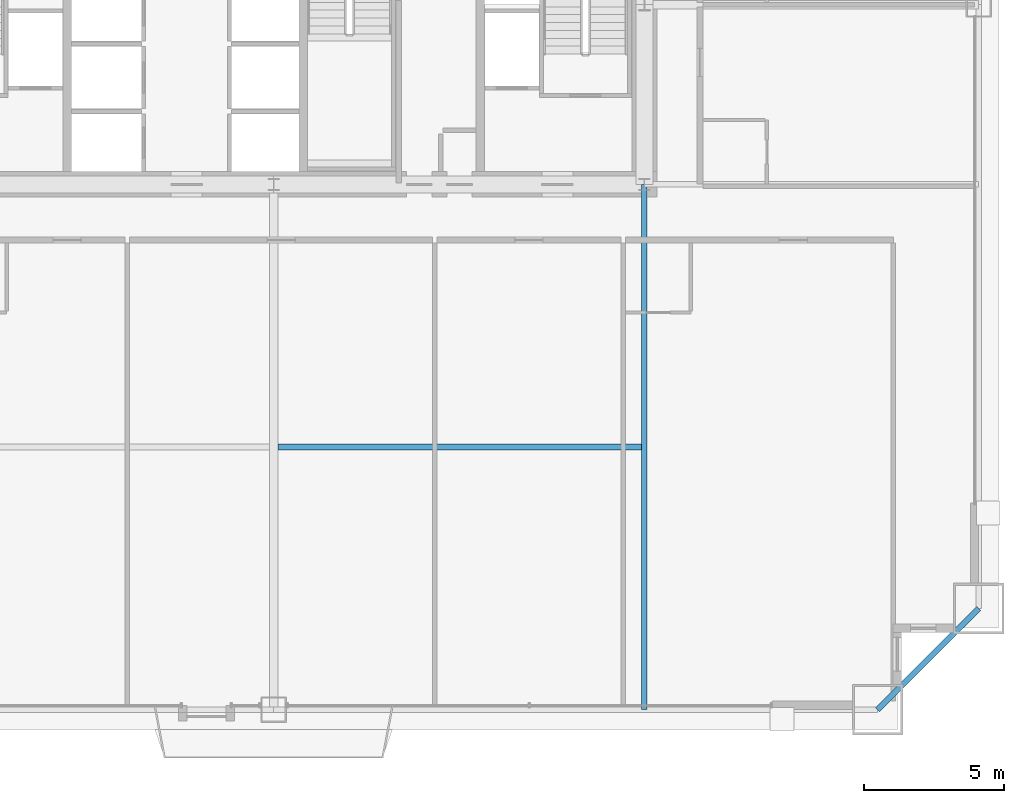
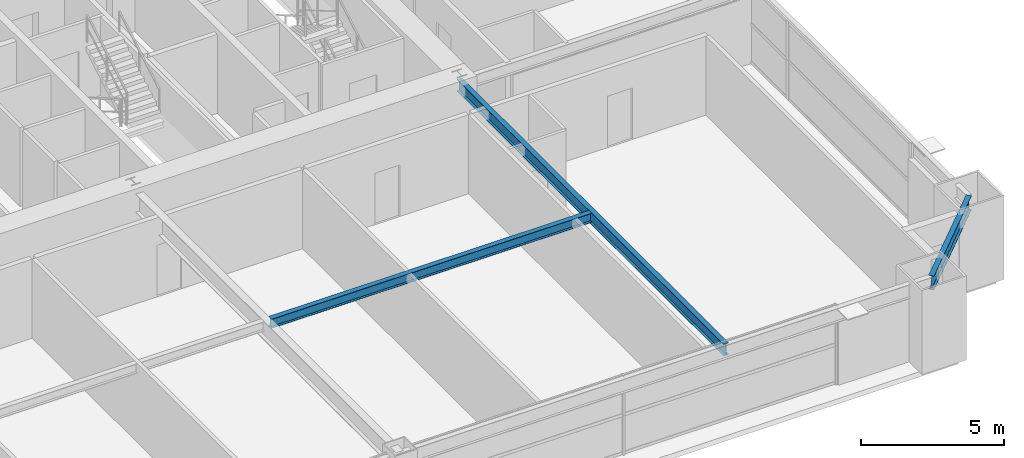
# One storey, part 17 of 45: 3 beams.
"""IFC4 building model written with IfcOpenShell, lengths in metres."""

from ifc_helpers import new_model, si_unit, direction, frame, origin, origin_2d, place, context, subcontext, project, spatial, i_section, extrude, source, transform, mapped, material, material_profile, profile_set, type_object, element, save


model = new_model("IFC4")

# Units and contexts
model_context = context("Model", 3, precision=1e-05, world=origin(), true_north=direction((0.0, 1.0)))
body_context = subcontext(model_context, "Body", "Model", "MODEL_VIEW")
ifc_project = project(units=[si_unit("LENGTHUNIT", "METRE"), si_unit("AREAUNIT", "SQUARE_METRE"), si_unit("VOLUMEUNIT", "CUBIC_METRE"), si_unit("PLANEANGLEUNIT", "RADIAN"), si_unit("MASSUNIT", "GRAM", prefix="KILO"), si_unit("THERMODYNAMICTEMPERATUREUNIT", "KELVIN"), si_unit("POWERUNIT", "WATT")], contexts=[model_context])

# Site, building, storey
site_placement = place(None, origin())
site = spatial("IfcSite", under=ifc_project, at=site_placement, CompositionType="ELEMENT")
building_placement = place(site_placement, origin())
building = spatial("IfcBuilding", under=site, at=building_placement, Name="Yuzanri Waterfront Tower", CompositionType="ELEMENT")
storey_placement = place(building_placement, frame((0.0, 0.0, 49.60009765625)))
storey = spatial("IfcBuildingStorey", under=building, at=storey_placement, Name="L12", CompositionType="ELEMENT", Elevation=49.60009765625)

# Beams
ifc_material_1 = material(Name="Steel Q355B", Category="steel")
ifc_material_profile_1 = material_profile(ifc_material_1, i_section(OverallWidth=0.199951171875, OverallDepth=0.60009765625, WebThickness=0.010986328125, FlangeThickness=0.01708984375, at=origin_2d()), Name="HN 600x200x11x17")
ifc_profile_set_1 = profile_set([ifc_material_profile_1], Name="Steel Q355B")
beam_type_1 = type_object("IfcBeamType", Name="Perimeter Spandrel Q355B HN 600x200", PredefinedType="SPANDREL", material=ifc_profile_set_1)
shared_shape_1 = source(origin(), body_context, "Body", "SweptSolid", [
    extrude(i_section(OverallWidth=0.199951171875, OverallDepth=0.60009765625, WebThickness=0.010986328125, FlangeThickness=0.01708984375, at=origin_2d()), origin(), (0.0, 0.0, 1.0), 5.09130859375),
])
beam_1_placement = place(storey_placement, frame((58.5, 0.699951171875, 3.079833984375), z_axis=(0.707106781187, 0.707106781187, 0.0), x_axis=(-0.707106781187, 0.707106781187, 0.0)))
element("IfcBeam", 1, at=beam_1_placement, inside=storey, type_object=beam_type_1, Name="L12 Perimeter Spandrel S3-E1", PredefinedType="SPANDREL", context=body_context, shape_type="MappedRepresentation", body=[
    mapped(shared_shape_1, transform((0.0, 0.0, 0.0), scale=1.0)),
])
ifc_material_2 = material(Name="Steel Q355B", Category="steel")
ifc_material_profile_2 = material_profile(ifc_material_2, i_section(OverallWidth=0.199951171875, OverallDepth=0.5, WebThickness=0.010009765625, FlangeThickness=0.01611328125, at=origin_2d()), Name="HN 500x200x10x16")
ifc_profile_set_2 = profile_set([ifc_material_profile_2], Name="Steel Q355B")
beam_type_2 = type_object("IfcBeamType", Name="Secondary Floor Beam Q355B HN 500x200", PredefinedType="BEAM", material=ifc_profile_set_2)
shared_shape_2 = source(origin(), body_context, "Body", "SweptSolid", [
    extrude(i_section(OverallWidth=0.199951171875, OverallDepth=0.5, WebThickness=0.010009765625, FlangeThickness=0.01611328125, at=origin_2d()), origin(), (0.0, 0.0, 1.0), 18.699951171875),
])
beam_2_placement = place(storey_placement, frame((50.199951171875, 19.39990234375, 3.1298828125), z_axis=(0.0, -1.0, 0.0), x_axis=(1.0, 0.0, 0.0)))
element("IfcBeam", 2, at=beam_2_placement, inside=storey, type_object=beam_type_2, Name="L12 South-East Core Line Beam", PredefinedType="BEAM", context=body_context, shape_type="MappedRepresentation", body=[
    mapped(shared_shape_2, transform((0.0, 0.0, 0.0), scale=1.0)),
])
ifc_material_3 = material(Name="Steel Q355B", Category="steel")
ifc_material_profile_3 = material_profile(ifc_material_3, i_section(OverallWidth=0.199951171875, OverallDepth=0.39990234375, WebThickness=0.008056640625, FlangeThickness=0.012939453125, at=origin_2d()), Name="HN 400x200x8x13")
ifc_profile_set_3 = profile_set([ifc_material_profile_3], Name="Steel Q355B")
beam_type_3 = type_object("IfcBeamType", Name="Floor Joist Q355B HN 400x200", PredefinedType="JOIST", material=ifc_profile_set_3)
shared_shape_3 = source(origin(), body_context, "Body", "SweptSolid", [
    extrude(i_section(OverallWidth=0.199951171875, OverallDepth=0.39990234375, WebThickness=0.008056640625, FlangeThickness=0.012939453125, at=origin_2d()), origin(), (0.0, 0.0, 1.0), 12.9501953125),
])
beam_3_placement = place(storey_placement, frame((37.14990234375, 10.050048828125, 3.179931640625), z_axis=(1.0, 0.0, 0.0), x_axis=(0.0, 1.0, 0.0)))
element("IfcBeam", 3, at=beam_3_placement, inside=storey, type_object=beam_type_3, Name="L12 South Bay Joist E", PredefinedType="JOIST", context=body_context, shape_type="MappedRepresentation", body=[
    mapped(shared_shape_3, transform((0.0, 0.0, 0.0), scale=1.0)),
])

save(model, "model.ifc")
